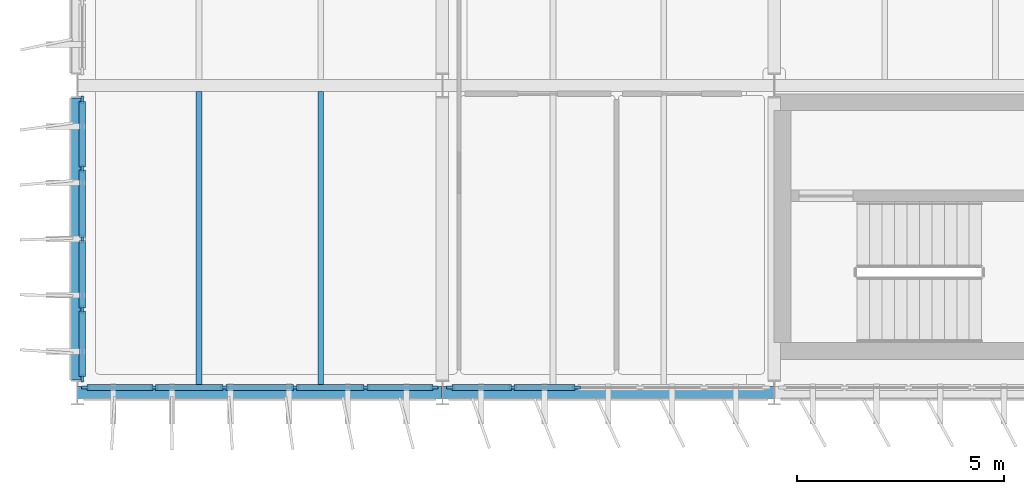
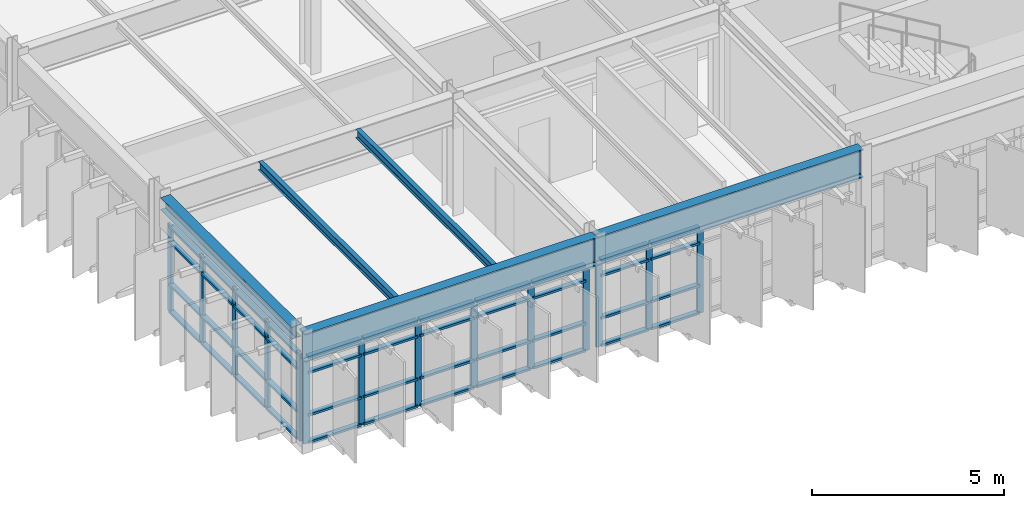
# One storey, part 6 of 45: 58 members, 5 beams, 3 elements without a shape of their own.
"""IFC4 building model written with IfcOpenShell, lengths in metres."""

from ifc_helpers import new_model, si_unit, direction, frame, origin, origin_2d, place, context, subcontext, project, spatial, rectangle, i_section, extrude, material, layer, layer_set, material_profile, profile_set, type_object, element, aggregate, save


model = new_model("IFC4")

# Units and contexts
model_context = context("Model", 3, precision=1e-05, world=origin(), true_north=direction((0.0, 1.0)))
body_context = subcontext(model_context, "Body", "Model", "MODEL_VIEW")
ifc_project = project(units=[si_unit("LENGTHUNIT", "METRE"), si_unit("AREAUNIT", "SQUARE_METRE"), si_unit("VOLUMEUNIT", "CUBIC_METRE"), si_unit("PLANEANGLEUNIT", "RADIAN"), si_unit("MASSUNIT", "GRAM", prefix="KILO")], contexts=[model_context])

# Site, building, storey
site_placement = place(None, origin())
site = spatial("IfcSite", under=ifc_project, at=site_placement, CompositionType="ELEMENT")
building_placement = place(site_placement, origin())
building = spatial("IfcBuilding", under=site, at=building_placement, Name="Valkorina Park Police Headquarters", CompositionType="ELEMENT")
storey_placement = place(building_placement, frame((0.0, 0.0, 23.300048828125)))
storey = spatial("IfcBuildingStorey", under=building, at=storey_placement, Name="L06", CompositionType="ELEMENT", Elevation=23.300048828125)

# Beams
ifc_material_1 = material(Name="Steel S355", Category="steel")
ifc_material_profile_1 = material_profile(ifc_material_1, i_section(OverallWidth=0.300048828125, OverallDepth=0.389892578125, WebThickness=0.010986328125, FlangeThickness=0.01904296875, FilletRadius=0.027099609375, at=origin_2d()), Name="HEA 400")
ifc_profile_set_1 = profile_set([ifc_material_profile_1], Name="Steel S355")
beam_type_1 = type_object("IfcBeamType", Name="BM-S355-HEA400-SPN", PredefinedType="SPANDREL", material=ifc_profile_set_1)
beam_1_placement = place(storey_placement, frame((0.0, 37.300048828125, 3.48486328125), z_axis=(0.0, 1.0, 0.0), x_axis=(-1.0, 0.0, 0.0)))
element("IfcBeam", 1, at=beam_1_placement, inside=storey, type_object=beam_type_1, Name="L06 Framing Beam 2655", PredefinedType="SPANDREL", context=body_context, shape_type="SweptSolid", body=[
    extrude(i_section(OverallWidth=0.300048828125, OverallDepth=0.389892578125, WebThickness=0.010986328125, FlangeThickness=0.01904296875, FilletRadius=0.027099609375, at=origin_2d()), origin(), (0.0, 0.0, 1.0), 6.800048828125),
])
ifc_material_profile_2 = material_profile(ifc_material_1, i_section(OverallWidth=0.300048828125, OverallDepth=0.89990234375, WebThickness=0.0185546875, FlangeThickness=0.034912109375, FilletRadius=0.030029296875, at=origin_2d()), Name="HEB 900")
ifc_profile_set_2 = profile_set([ifc_material_profile_2], Name="Steel S355")
beam_type_2 = type_object("IfcBeamType", Name="BM-S355-HEB900-EXT", PredefinedType="SPANDREL", material=ifc_profile_set_2)
beam_2_placement = place(storey_placement, frame((0.0078125, 37.0, 3.22998046875), z_axis=(1.0, 0.0, 0.0), x_axis=(0.0, 1.0, 0.0)))
element("IfcBeam", 2, at=beam_2_placement, inside=storey, type_object=beam_type_2, Name="L06 Framing Beam 2602", PredefinedType="SPANDREL", context=body_context, shape_type="SweptSolid", body=[
    extrude(i_section(OverallWidth=0.300048828125, OverallDepth=0.89990234375, WebThickness=0.0185546875, FlangeThickness=0.034912109375, FilletRadius=0.030029296875, at=origin_2d()), origin(), (0.0, 0.0, 1.0), 8.784423828125),
])
beam_3_placement = place(storey_placement, frame((8.8076171875, 37.0, 3.22998046875), z_axis=(1.0, 0.0, 0.0), x_axis=(0.0, 1.0, 0.0)))
element("IfcBeam", 3, at=beam_3_placement, inside=storey, type_object=beam_type_2, Name="L06 Framing Beam 2603", PredefinedType="SPANDREL", context=body_context, shape_type="SweptSolid", body=[
    extrude(i_section(OverallWidth=0.300048828125, OverallDepth=0.89990234375, WebThickness=0.0185546875, FlangeThickness=0.034912109375, FilletRadius=0.030029296875, at=origin_2d()), origin(), (0.0, 0.0, 1.0), 7.984619140625),
])
ifc_material_profile_3 = material_profile(ifc_material_1, i_section(OverallWidth=0.135009765625, OverallDepth=0.27001953125, WebThickness=0.006591796875, FlangeThickness=0.01025390625, FilletRadius=0.014892578125, at=origin_2d()), Name="IPE 270")
ifc_profile_set_3 = profile_set([ifc_material_profile_3], Name="Steel S355")
beam_type_3 = type_object("IfcBeamType", Name="BM-S355-IPE270-JST", PredefinedType="JOIST", material=ifc_profile_set_3)
for number, where, z_axis, x_axis, name in (
    (4, (2.933349609375, 37.14990234375, 3.544921875), (0.0, 1.0, 0.0), (-1.0, 0.0, 0.0), "L06 Framing Beam 2656"),
    (5, (5.86669921875, 37.14990234375, 3.544921875), (0.0, 1.0, 0.0), (-1.0, 0.0, 0.0), "L06 Framing Beam 2657"),
):
    element("IfcBeam", number, at=place(storey_placement, frame(where, z_axis=z_axis, x_axis=x_axis)), inside=storey, type_object=beam_type_3, Name=name, PredefinedType="JOIST", context=body_context, shape_type="SweptSolid", body=[
        extrude(i_section(OverallWidth=0.135009765625, OverallDepth=0.27001953125, WebThickness=0.006591796875, FlangeThickness=0.01025390625, FilletRadius=0.014892578125, at=origin_2d()), origin(), (0.0, 0.0, 1.0), 7.10009765625),
    ])

# Curtain wall, members
ifc_material_2 = material(Name="Thermally broken aluminium AW-6060", Category="aluminium")
ifc_layer_1 = layer(ifc_material_2, 0.18994140625)
ifc_layer_set_1 = layer_set([ifc_layer_1], Name="Thermally broken aluminium AW-6060")
curtain_wall_type_1 = type_object("IfcCurtainWallType", Name="CW-V5-6780x2770", PredefinedType="NOTDEFINED", material=ifc_layer_set_1)
curtain_wall_1_placement = place(storey_placement, origin())
curtain_wall_1 = element("IfcCurtainWall", 6, at=curtain_wall_1_placement, inside=storey, type_object=curtain_wall_type_1, Name="L06 Unitised Curtain Wall 097", PredefinedType="NOTDEFINED")
ifc_material_profile_4 = material_profile(ifc_material_2, rectangle(XDim=0.070068359375, YDim=0.18994140625, at=origin_2d()), Name="CWM-02 70x190")
ifc_profile_set_4 = profile_set([ifc_material_profile_4], Name="Thermally broken aluminium AW-6060")
member_type_1 = type_object("IfcMemberType", Name="CWM-70x190", PredefinedType="MULLION", material=ifc_profile_set_4)
member_1_placement = place(storey_placement, frame((0.1201171875, 37.344970703125, 0.0), z_axis=(0.0, 0.0, 1.0), x_axis=(-1.0, 0.0, 0.0)))
member_1 = element("IfcMember", 7, at=member_1_placement, type_object=member_type_1, Name="CW-V5-678-277 mullion 1", PredefinedType="MULLION", context=body_context, shape_type="SweptSolid", body=[
    extrude(rectangle(XDim=0.070068359375, YDim=0.18994140625, at=origin_2d()), origin(), (0.0, 0.0, 1.0), 2.77001953125),
])
member_2_placement = place(storey_placement, frame((0.1201171875, 39.0048828125, 0.0), z_axis=(0.0, 0.0, 1.0), x_axis=(-1.0, 0.0, 0.0)))
member_2 = element("IfcMember", 8, at=member_2_placement, type_object=member_type_1, Name="CW-V5-678-277 mullion 2", PredefinedType="MULLION", context=body_context, shape_type="SweptSolid", body=[
    extrude(rectangle(XDim=0.070068359375, YDim=0.18994140625, at=origin_2d()), origin(), (0.0, 0.0, 1.0), 2.77001953125),
])
member_3_placement = place(storey_placement, frame((0.1201171875, 40.699951171875, 0.0), z_axis=(0.0, 0.0, 1.0), x_axis=(-1.0, 0.0, 0.0)))
member_3 = element("IfcMember", 9, at=member_3_placement, type_object=member_type_1, Name="CW-V5-678-277 mullion 3", PredefinedType="MULLION", context=body_context, shape_type="SweptSolid", body=[
    extrude(rectangle(XDim=0.070068359375, YDim=0.18994140625, at=origin_2d()), origin(), (0.0, 0.0, 1.0), 2.77001953125),
])
member_4_placement = place(storey_placement, frame((0.1201171875, 42.39501953125, 0.0), z_axis=(0.0, 0.0, 1.0), x_axis=(-1.0, 0.0, 0.0)))
member_4 = element("IfcMember", 10, at=member_4_placement, type_object=member_type_1, Name="CW-V5-678-277 mullion 4", PredefinedType="MULLION", context=body_context, shape_type="SweptSolid", body=[
    extrude(rectangle(XDim=0.070068359375, YDim=0.18994140625, at=origin_2d()), origin(), (0.0, 0.0, 1.0), 2.77001953125),
])
member_5_placement = place(storey_placement, frame((0.1201171875, 44.054931640625, 0.0), z_axis=(0.0, 0.0, 1.0), x_axis=(-1.0, 0.0, 0.0)))
member_5 = element("IfcMember", 11, at=member_5_placement, type_object=member_type_1, Name="CW-V5-678-277 mullion 5", PredefinedType="MULLION", context=body_context, shape_type="SweptSolid", body=[
    extrude(rectangle(XDim=0.070068359375, YDim=0.18994140625, at=origin_2d()), origin(), (0.0, 0.0, 1.0), 2.77001953125),
])

ifc_layer_2 = layer(ifc_material_2, 0.18994140625)
ifc_layer_set_2 = layer_set([ifc_layer_2], Name="Thermally broken aluminium AW-6060")
curtain_wall_type_2 = type_object("IfcCurtainWallType", Name="CW-V5-7680x2770", PredefinedType="NOTDEFINED", material=ifc_layer_set_2)
curtain_wall_2_placement = place(storey_placement, origin())
curtain_wall_2 = element("IfcCurtainWall", 12, at=curtain_wall_2_placement, inside=storey, type_object=curtain_wall_type_2, Name="L06 Unitised Curtain Wall 131", PredefinedType="NOTDEFINED")
member_6_placement = place(storey_placement, frame((12.031982421875, 37.1201171875, 0.0), z_axis=(0.0, 0.0, 1.0), x_axis=(0.0, -1.0, 0.0)))
member_6 = element("IfcMember", 13, at=member_6_placement, type_object=member_type_1, Name="CW-V5-768-277 mullion 4", PredefinedType="MULLION", context=body_context, shape_type="SweptSolid", body=[
    extrude(rectangle(XDim=0.070068359375, YDim=0.18994140625, at=origin_2d()), origin(), (0.0, 0.0, 1.0), 2.77001953125),
])
member_7_placement = place(storey_placement, frame((10.49609375, 37.1201171875, 0.0), z_axis=(0.0, 0.0, 1.0), x_axis=(0.0, -1.0, 0.0)))
member_7 = element("IfcMember", 14, at=member_7_placement, type_object=member_type_1, Name="CW-V5-768-277 mullion 5", PredefinedType="MULLION", context=body_context, shape_type="SweptSolid", body=[
    extrude(rectangle(XDim=0.070068359375, YDim=0.18994140625, at=origin_2d()), origin(), (0.0, 0.0, 1.0), 2.77001953125),
])
member_8_placement = place(storey_placement, frame((8.9951171875, 37.1201171875, 0.0), z_axis=(0.0, 0.0, 1.0), x_axis=(0.0, -1.0, 0.0)))
member_8 = element("IfcMember", 15, at=member_8_placement, type_object=member_type_1, Name="CW-V5-768-277 mullion 6", PredefinedType="MULLION", context=body_context, shape_type="SweptSolid", body=[
    extrude(rectangle(XDim=0.070068359375, YDim=0.18994140625, at=origin_2d()), origin(), (0.0, 0.0, 1.0), 2.77001953125),
])

ifc_layer_3 = layer(ifc_material_2, 0.18994140625)
ifc_layer_set_3 = layer_set([ifc_layer_3], Name="Thermally broken aluminium AW-6060")
curtain_wall_type_3 = type_object("IfcCurtainWallType", Name="CW-V5-8480x2770", PredefinedType="NOTDEFINED", material=ifc_layer_set_3)
curtain_wall_3_placement = place(storey_placement, origin())
curtain_wall_3 = element("IfcCurtainWall", 16, at=curtain_wall_3_placement, inside=storey, type_object=curtain_wall_type_3, Name="L06 Unitised Curtain Wall 132", PredefinedType="NOTDEFINED")
member_9_placement = place(storey_placement, frame((8.60498046875, 37.1201171875, 0.0), z_axis=(0.0, 0.0, 1.0), x_axis=(0.0, -1.0, 0.0)))
member_9 = element("IfcMember", 17, at=member_9_placement, type_object=member_type_1, Name="CW-V5-848-277 mullion 1", PredefinedType="MULLION", context=body_context, shape_type="SweptSolid", body=[
    extrude(rectangle(XDim=0.070068359375, YDim=0.18994140625, at=origin_2d()), origin(), (0.0, 0.0, 1.0), 2.77001953125),
])
member_10_placement = place(storey_placement, frame((6.944091796875, 37.1201171875, 0.0), z_axis=(0.0, 0.0, 1.0), x_axis=(0.0, -1.0, 0.0)))
member_10 = element("IfcMember", 18, at=member_10_placement, type_object=member_type_1, Name="CW-V5-848-277 mullion 2", PredefinedType="MULLION", context=body_context, shape_type="SweptSolid", body=[
    extrude(rectangle(XDim=0.070068359375, YDim=0.18994140625, at=origin_2d()), origin(), (0.0, 0.0, 1.0), 2.77001953125),
])
member_11_placement = place(storey_placement, frame((5.248046875, 37.1201171875, 0.0), z_axis=(0.0, 0.0, 1.0), x_axis=(0.0, -1.0, 0.0)))
member_11 = element("IfcMember", 19, at=member_11_placement, type_object=member_type_1, Name="CW-V5-848-277 mullion 3", PredefinedType="MULLION", context=body_context, shape_type="SweptSolid", body=[
    extrude(rectangle(XDim=0.070068359375, YDim=0.18994140625, at=origin_2d()), origin(), (0.0, 0.0, 1.0), 2.77001953125),
])
member_12_placement = place(storey_placement, frame((3.552001953125, 37.1201171875, 0.0), z_axis=(0.0, 0.0, 1.0), x_axis=(0.0, -1.0, 0.0)))
member_12 = element("IfcMember", 20, at=member_12_placement, type_object=member_type_1, Name="CW-V5-848-277 mullion 4", PredefinedType="MULLION", context=body_context, shape_type="SweptSolid", body=[
    extrude(rectangle(XDim=0.070068359375, YDim=0.18994140625, at=origin_2d()), origin(), (0.0, 0.0, 1.0), 2.77001953125),
])
member_13_placement = place(storey_placement, frame((1.85595703125, 37.1201171875, 0.0), z_axis=(0.0, 0.0, 1.0), x_axis=(0.0, -1.0, 0.0)))
member_13 = element("IfcMember", 21, at=member_13_placement, type_object=member_type_1, Name="CW-V5-848-277 mullion 5", PredefinedType="MULLION", context=body_context, shape_type="SweptSolid", body=[
    extrude(rectangle(XDim=0.070068359375, YDim=0.18994140625, at=origin_2d()), origin(), (0.0, 0.0, 1.0), 2.77001953125),
])
member_14_placement = place(storey_placement, frame((0.195068359375, 37.1201171875, 0.0), z_axis=(0.0, 0.0, 1.0), x_axis=(0.0, -1.0, 0.0)))
member_14 = element("IfcMember", 22, at=member_14_placement, type_object=member_type_1, Name="CW-V5-848-277 mullion 6", PredefinedType="MULLION", context=body_context, shape_type="SweptSolid", body=[
    extrude(rectangle(XDim=0.070068359375, YDim=0.18994140625, at=origin_2d()), origin(), (0.0, 0.0, 1.0), 2.77001953125),
])

# Member
ifc_material_profile_5 = material_profile(ifc_material_2, rectangle(XDim=0.14990234375, YDim=0.070068359375, at=origin_2d()), Name="CWT-02 150x70")
ifc_profile_set_5 = profile_set([ifc_material_profile_5], Name="Thermally broken aluminium AW-6060")
member_type_2 = type_object("IfcMemberType", Name="CWT-150x70", PredefinedType="USERDEFINED", material=ifc_profile_set_5)
member_15_placement = place(storey_placement, frame((0.1201171875, 37.3798828125, 0.034912109375), z_axis=(0.0, 1.0, 0.0), x_axis=(-1.0, 0.0, 0.0)))
member_15 = element("IfcMember", 23, at=member_15_placement, type_object=member_type_2, Name="CW-V5-678-277 transom 1.1", ObjectType="TRANSOM", PredefinedType="USERDEFINED", context=body_context, shape_type="SweptSolid", body=[
    extrude(rectangle(XDim=0.14990234375, YDim=0.070068359375, at=origin_2d()), origin(), (0.0, 0.0, 1.0), 1.590087890625),
])

member_16_placement = place(storey_placement, frame((0.1201171875, 37.3798828125, 0.89990234375), z_axis=(0.0, 1.0, 0.0), x_axis=(-1.0, 0.0, 0.0)))
member_16 = element("IfcMember", 24, at=member_16_placement, type_object=member_type_2, Name="CW-V5-678-277 transom 1.2", ObjectType="TRANSOM", PredefinedType="USERDEFINED", context=body_context, shape_type="SweptSolid", body=[
    extrude(rectangle(XDim=0.14990234375, YDim=0.070068359375, at=origin_2d()), origin(), (0.0, 0.0, 1.0), 1.590087890625),
])

member_17_placement = place(storey_placement, frame((0.1201171875, 37.3798828125, 2.25), z_axis=(0.0, 1.0, 0.0), x_axis=(-1.0, 0.0, 0.0)))
member_17 = element("IfcMember", 25, at=member_17_placement, type_object=member_type_2, Name="CW-V5-678-277 transom 1.3", ObjectType="TRANSOM", PredefinedType="USERDEFINED", context=body_context, shape_type="SweptSolid", body=[
    extrude(rectangle(XDim=0.14990234375, YDim=0.070068359375, at=origin_2d()), origin(), (0.0, 0.0, 1.0), 1.590087890625),
])

member_18_placement = place(storey_placement, frame((0.1201171875, 37.3798828125, 2.73486328125), z_axis=(0.0, 1.0, 0.0), x_axis=(-1.0, 0.0, 0.0)))
member_18 = element("IfcMember", 26, at=member_18_placement, type_object=member_type_2, Name="CW-V5-678-277 transom 1.4", ObjectType="TRANSOM", PredefinedType="USERDEFINED", context=body_context, shape_type="SweptSolid", body=[
    extrude(rectangle(XDim=0.14990234375, YDim=0.070068359375, at=origin_2d()), origin(), (0.0, 0.0, 1.0), 1.590087890625),
])

member_19_placement = place(storey_placement, frame((0.1201171875, 39.0400390625, 0.034912109375), z_axis=(0.0, 1.0, 0.0), x_axis=(-1.0, 0.0, 0.0)))
member_19 = element("IfcMember", 27, at=member_19_placement, type_object=member_type_2, Name="CW-V5-678-277 transom 2.1", ObjectType="TRANSOM", PredefinedType="USERDEFINED", context=body_context, shape_type="SweptSolid", body=[
    extrude(rectangle(XDim=0.14990234375, YDim=0.070068359375, at=origin_2d()), origin(), (0.0, 0.0, 1.0), 1.625),
])

member_20_placement = place(storey_placement, frame((0.1201171875, 39.0400390625, 0.89990234375), z_axis=(0.0, 1.0, 0.0), x_axis=(-1.0, 0.0, 0.0)))
member_20 = element("IfcMember", 28, at=member_20_placement, type_object=member_type_2, Name="CW-V5-678-277 transom 2.2", ObjectType="TRANSOM", PredefinedType="USERDEFINED", context=body_context, shape_type="SweptSolid", body=[
    extrude(rectangle(XDim=0.14990234375, YDim=0.070068359375, at=origin_2d()), origin(), (0.0, 0.0, 1.0), 1.625),
])

member_21_placement = place(storey_placement, frame((0.1201171875, 39.0400390625, 2.25), z_axis=(0.0, 1.0, 0.0), x_axis=(-1.0, 0.0, 0.0)))
member_21 = element("IfcMember", 29, at=member_21_placement, type_object=member_type_2, Name="CW-V5-678-277 transom 2.3", ObjectType="TRANSOM", PredefinedType="USERDEFINED", context=body_context, shape_type="SweptSolid", body=[
    extrude(rectangle(XDim=0.14990234375, YDim=0.070068359375, at=origin_2d()), origin(), (0.0, 0.0, 1.0), 1.625),
])

member_22_placement = place(storey_placement, frame((0.1201171875, 39.0400390625, 2.73486328125), z_axis=(0.0, 1.0, 0.0), x_axis=(-1.0, 0.0, 0.0)))
member_22 = element("IfcMember", 30, at=member_22_placement, type_object=member_type_2, Name="CW-V5-678-277 transom 2.4", ObjectType="TRANSOM", PredefinedType="USERDEFINED", context=body_context, shape_type="SweptSolid", body=[
    extrude(rectangle(XDim=0.14990234375, YDim=0.070068359375, at=origin_2d()), origin(), (0.0, 0.0, 1.0), 1.625),
])

member_23_placement = place(storey_placement, frame((0.1201171875, 40.735107421875, 0.034912109375), z_axis=(0.0, 1.0, 0.0), x_axis=(-1.0, 0.0, 0.0)))
member_23 = element("IfcMember", 31, at=member_23_placement, type_object=member_type_2, Name="CW-V5-678-277 transom 3.1", ObjectType="TRANSOM", PredefinedType="USERDEFINED", context=body_context, shape_type="SweptSolid", body=[
    extrude(rectangle(XDim=0.14990234375, YDim=0.070068359375, at=origin_2d()), origin(), (0.0, 0.0, 1.0), 1.625),
])

member_24_placement = place(storey_placement, frame((0.1201171875, 40.735107421875, 0.89990234375), z_axis=(0.0, 1.0, 0.0), x_axis=(-1.0, 0.0, 0.0)))
member_24 = element("IfcMember", 32, at=member_24_placement, type_object=member_type_2, Name="CW-V5-678-277 transom 3.2", ObjectType="TRANSOM", PredefinedType="USERDEFINED", context=body_context, shape_type="SweptSolid", body=[
    extrude(rectangle(XDim=0.14990234375, YDim=0.070068359375, at=origin_2d()), origin(), (0.0, 0.0, 1.0), 1.625),
])

member_25_placement = place(storey_placement, frame((0.1201171875, 40.735107421875, 2.25), z_axis=(0.0, 1.0, 0.0), x_axis=(-1.0, 0.0, 0.0)))
member_25 = element("IfcMember", 33, at=member_25_placement, type_object=member_type_2, Name="CW-V5-678-277 transom 3.3", ObjectType="TRANSOM", PredefinedType="USERDEFINED", context=body_context, shape_type="SweptSolid", body=[
    extrude(rectangle(XDim=0.14990234375, YDim=0.070068359375, at=origin_2d()), origin(), (0.0, 0.0, 1.0), 1.625),
])

member_26_placement = place(storey_placement, frame((0.1201171875, 40.735107421875, 2.73486328125), z_axis=(0.0, 1.0, 0.0), x_axis=(-1.0, 0.0, 0.0)))
member_26 = element("IfcMember", 34, at=member_26_placement, type_object=member_type_2, Name="CW-V5-678-277 transom 3.4", ObjectType="TRANSOM", PredefinedType="USERDEFINED", context=body_context, shape_type="SweptSolid", body=[
    extrude(rectangle(XDim=0.14990234375, YDim=0.070068359375, at=origin_2d()), origin(), (0.0, 0.0, 1.0), 1.625),
])

member_27_placement = place(storey_placement, frame((0.1201171875, 42.429931640625, 0.034912109375), z_axis=(0.0, 1.0, 0.0), x_axis=(-1.0, 0.0, 0.0)))
member_27 = element("IfcMember", 35, at=member_27_placement, type_object=member_type_2, Name="CW-V5-678-277 transom 4.1", ObjectType="TRANSOM", PredefinedType="USERDEFINED", context=body_context, shape_type="SweptSolid", body=[
    extrude(rectangle(XDim=0.14990234375, YDim=0.070068359375, at=origin_2d()), origin(), (0.0, 0.0, 1.0), 1.590087890625),
])

member_28_placement = place(storey_placement, frame((0.1201171875, 42.429931640625, 0.89990234375), z_axis=(0.0, 1.0, 0.0), x_axis=(-1.0, 0.0, 0.0)))
member_28 = element("IfcMember", 36, at=member_28_placement, type_object=member_type_2, Name="CW-V5-678-277 transom 4.2", ObjectType="TRANSOM", PredefinedType="USERDEFINED", context=body_context, shape_type="SweptSolid", body=[
    extrude(rectangle(XDim=0.14990234375, YDim=0.070068359375, at=origin_2d()), origin(), (0.0, 0.0, 1.0), 1.590087890625),
])

member_29_placement = place(storey_placement, frame((0.1201171875, 42.429931640625, 2.25), z_axis=(0.0, 1.0, 0.0), x_axis=(-1.0, 0.0, 0.0)))
member_29 = element("IfcMember", 37, at=member_29_placement, type_object=member_type_2, Name="CW-V5-678-277 transom 4.3", ObjectType="TRANSOM", PredefinedType="USERDEFINED", context=body_context, shape_type="SweptSolid", body=[
    extrude(rectangle(XDim=0.14990234375, YDim=0.070068359375, at=origin_2d()), origin(), (0.0, 0.0, 1.0), 1.590087890625),
])

member_30_placement = place(storey_placement, frame((0.1201171875, 42.429931640625, 2.73486328125), z_axis=(0.0, 1.0, 0.0), x_axis=(-1.0, 0.0, 0.0)))
member_30 = element("IfcMember", 38, at=member_30_placement, type_object=member_type_2, Name="CW-V5-678-277 transom 4.4", ObjectType="TRANSOM", PredefinedType="USERDEFINED", context=body_context, shape_type="SweptSolid", body=[
    extrude(rectangle(XDim=0.14990234375, YDim=0.070068359375, at=origin_2d()), origin(), (0.0, 0.0, 1.0), 1.590087890625),
])

aggregate(curtain_wall_1, [member_1, member_2, member_3, member_4, member_5, member_15, member_16, member_17, member_18, member_19, member_20, member_21, member_22, member_23, member_24, member_25, member_26, member_27, member_28, member_29, member_30])

member_31_placement = place(storey_placement, frame((11.9970703125, 37.1201171875, 0.034912109375), z_axis=(-1.0, 0.0, 0.0), x_axis=(0.0, -1.0, 0.0)))
member_31 = element("IfcMember", 39, at=member_31_placement, type_object=member_type_2, Name="CW-V5-768-277 transom 4.1", ObjectType="TRANSOM", PredefinedType="USERDEFINED", context=body_context, shape_type="SweptSolid", body=[
    extrude(rectangle(XDim=0.14990234375, YDim=0.070068359375, at=origin_2d()), origin(), (0.0, 0.0, 1.0), 1.466064453125),
])

member_32_placement = place(storey_placement, frame((11.9970703125, 37.1201171875, 0.89990234375), z_axis=(-1.0, 0.0, 0.0), x_axis=(0.0, -1.0, 0.0)))
member_32 = element("IfcMember", 40, at=member_32_placement, type_object=member_type_2, Name="CW-V5-768-277 transom 4.2", ObjectType="TRANSOM", PredefinedType="USERDEFINED", context=body_context, shape_type="SweptSolid", body=[
    extrude(rectangle(XDim=0.14990234375, YDim=0.070068359375, at=origin_2d()), origin(), (0.0, 0.0, 1.0), 1.466064453125),
])

member_33_placement = place(storey_placement, frame((11.9970703125, 37.1201171875, 2.25), z_axis=(-1.0, 0.0, 0.0), x_axis=(0.0, -1.0, 0.0)))
member_33 = element("IfcMember", 41, at=member_33_placement, type_object=member_type_2, Name="CW-V5-768-277 transom 4.3", ObjectType="TRANSOM", PredefinedType="USERDEFINED", context=body_context, shape_type="SweptSolid", body=[
    extrude(rectangle(XDim=0.14990234375, YDim=0.070068359375, at=origin_2d()), origin(), (0.0, 0.0, 1.0), 1.466064453125),
])

member_34_placement = place(storey_placement, frame((11.9970703125, 37.1201171875, 2.73486328125), z_axis=(-1.0, 0.0, 0.0), x_axis=(0.0, -1.0, 0.0)))
member_34 = element("IfcMember", 42, at=member_34_placement, type_object=member_type_2, Name="CW-V5-768-277 transom 4.4", ObjectType="TRANSOM", PredefinedType="USERDEFINED", context=body_context, shape_type="SweptSolid", body=[
    extrude(rectangle(XDim=0.14990234375, YDim=0.070068359375, at=origin_2d()), origin(), (0.0, 0.0, 1.0), 1.466064453125),
])

member_35_placement = place(storey_placement, frame((10.4609375, 37.1201171875, 0.034912109375), z_axis=(-1.0, 0.0, 0.0), x_axis=(0.0, -1.0, 0.0)))
member_35 = element("IfcMember", 43, at=member_35_placement, type_object=member_type_2, Name="CW-V5-768-277 transom 5.1", ObjectType="TRANSOM", PredefinedType="USERDEFINED", context=body_context, shape_type="SweptSolid", body=[
    extrude(rectangle(XDim=0.14990234375, YDim=0.070068359375, at=origin_2d()), origin(), (0.0, 0.0, 1.0), 1.430908203125),
])

member_36_placement = place(storey_placement, frame((10.4609375, 37.1201171875, 0.89990234375), z_axis=(-1.0, 0.0, 0.0), x_axis=(0.0, -1.0, 0.0)))
member_36 = element("IfcMember", 44, at=member_36_placement, type_object=member_type_2, Name="CW-V5-768-277 transom 5.2", ObjectType="TRANSOM", PredefinedType="USERDEFINED", context=body_context, shape_type="SweptSolid", body=[
    extrude(rectangle(XDim=0.14990234375, YDim=0.070068359375, at=origin_2d()), origin(), (0.0, 0.0, 1.0), 1.430908203125),
])

member_37_placement = place(storey_placement, frame((10.4609375, 37.1201171875, 2.25), z_axis=(-1.0, 0.0, 0.0), x_axis=(0.0, -1.0, 0.0)))
member_37 = element("IfcMember", 45, at=member_37_placement, type_object=member_type_2, Name="CW-V5-768-277 transom 5.3", ObjectType="TRANSOM", PredefinedType="USERDEFINED", context=body_context, shape_type="SweptSolid", body=[
    extrude(rectangle(XDim=0.14990234375, YDim=0.070068359375, at=origin_2d()), origin(), (0.0, 0.0, 1.0), 1.430908203125),
])

member_38_placement = place(storey_placement, frame((10.4609375, 37.1201171875, 2.73486328125), z_axis=(-1.0, 0.0, 0.0), x_axis=(0.0, -1.0, 0.0)))
member_38 = element("IfcMember", 46, at=member_38_placement, type_object=member_type_2, Name="CW-V5-768-277 transom 5.4", ObjectType="TRANSOM", PredefinedType="USERDEFINED", context=body_context, shape_type="SweptSolid", body=[
    extrude(rectangle(XDim=0.14990234375, YDim=0.070068359375, at=origin_2d()), origin(), (0.0, 0.0, 1.0), 1.430908203125),
])

aggregate(curtain_wall_2, [member_6, member_7, member_8, member_31, member_32, member_33, member_34, member_35, member_36, member_37, member_38])

member_39_placement = place(storey_placement, frame((8.570068359375, 37.1201171875, 0.034912109375), z_axis=(-1.0, 0.0, 0.0), x_axis=(0.0, -1.0, 0.0)))
member_39 = element("IfcMember", 47, at=member_39_placement, type_object=member_type_2, Name="CW-V5-848-277 transom 1.1", ObjectType="TRANSOM", PredefinedType="USERDEFINED", context=body_context, shape_type="SweptSolid", body=[
    extrude(rectangle(XDim=0.14990234375, YDim=0.070068359375, at=origin_2d()), origin(), (0.0, 0.0, 1.0), 1.591064453125),
])

member_40_placement = place(storey_placement, frame((8.570068359375, 37.1201171875, 0.89990234375), z_axis=(-1.0, 0.0, 0.0), x_axis=(0.0, -1.0, 0.0)))
member_40 = element("IfcMember", 48, at=member_40_placement, type_object=member_type_2, Name="CW-V5-848-277 transom 1.2", ObjectType="TRANSOM", PredefinedType="USERDEFINED", context=body_context, shape_type="SweptSolid", body=[
    extrude(rectangle(XDim=0.14990234375, YDim=0.070068359375, at=origin_2d()), origin(), (0.0, 0.0, 1.0), 1.591064453125),
])

member_41_placement = place(storey_placement, frame((8.570068359375, 37.1201171875, 2.25), z_axis=(-1.0, 0.0, 0.0), x_axis=(0.0, -1.0, 0.0)))
member_41 = element("IfcMember", 49, at=member_41_placement, type_object=member_type_2, Name="CW-V5-848-277 transom 1.3", ObjectType="TRANSOM", PredefinedType="USERDEFINED", context=body_context, shape_type="SweptSolid", body=[
    extrude(rectangle(XDim=0.14990234375, YDim=0.070068359375, at=origin_2d()), origin(), (0.0, 0.0, 1.0), 1.591064453125),
])

member_42_placement = place(storey_placement, frame((8.570068359375, 37.1201171875, 2.73486328125), z_axis=(-1.0, 0.0, 0.0), x_axis=(0.0, -1.0, 0.0)))
member_42 = element("IfcMember", 50, at=member_42_placement, type_object=member_type_2, Name="CW-V5-848-277 transom 1.4", ObjectType="TRANSOM", PredefinedType="USERDEFINED", context=body_context, shape_type="SweptSolid", body=[
    extrude(rectangle(XDim=0.14990234375, YDim=0.070068359375, at=origin_2d()), origin(), (0.0, 0.0, 1.0), 1.591064453125),
])

member_43_placement = place(storey_placement, frame((6.908935546875, 37.1201171875, 0.034912109375), z_axis=(-1.0, 0.0, 0.0), x_axis=(0.0, -1.0, 0.0)))
member_43 = element("IfcMember", 51, at=member_43_placement, type_object=member_type_2, Name="CW-V5-848-277 transom 2.1", ObjectType="TRANSOM", PredefinedType="USERDEFINED", context=body_context, shape_type="SweptSolid", body=[
    extrude(rectangle(XDim=0.14990234375, YDim=0.070068359375, at=origin_2d()), origin(), (0.0, 0.0, 1.0), 1.6259765625),
])

member_44_placement = place(storey_placement, frame((6.908935546875, 37.1201171875, 0.89990234375), z_axis=(-1.0, 0.0, 0.0), x_axis=(0.0, -1.0, 0.0)))
member_44 = element("IfcMember", 52, at=member_44_placement, type_object=member_type_2, Name="CW-V5-848-277 transom 2.2", ObjectType="TRANSOM", PredefinedType="USERDEFINED", context=body_context, shape_type="SweptSolid", body=[
    extrude(rectangle(XDim=0.14990234375, YDim=0.070068359375, at=origin_2d()), origin(), (0.0, 0.0, 1.0), 1.6259765625),
])

member_45_placement = place(storey_placement, frame((6.908935546875, 37.1201171875, 2.25), z_axis=(-1.0, 0.0, 0.0), x_axis=(0.0, -1.0, 0.0)))
member_45 = element("IfcMember", 53, at=member_45_placement, type_object=member_type_2, Name="CW-V5-848-277 transom 2.3", ObjectType="TRANSOM", PredefinedType="USERDEFINED", context=body_context, shape_type="SweptSolid", body=[
    extrude(rectangle(XDim=0.14990234375, YDim=0.070068359375, at=origin_2d()), origin(), (0.0, 0.0, 1.0), 1.6259765625),
])

member_46_placement = place(storey_placement, frame((6.908935546875, 37.1201171875, 2.73486328125), z_axis=(-1.0, 0.0, 0.0), x_axis=(0.0, -1.0, 0.0)))
member_46 = element("IfcMember", 54, at=member_46_placement, type_object=member_type_2, Name="CW-V5-848-277 transom 2.4", ObjectType="TRANSOM", PredefinedType="USERDEFINED", context=body_context, shape_type="SweptSolid", body=[
    extrude(rectangle(XDim=0.14990234375, YDim=0.070068359375, at=origin_2d()), origin(), (0.0, 0.0, 1.0), 1.6259765625),
])

member_47_placement = place(storey_placement, frame((5.212890625, 37.1201171875, 0.034912109375), z_axis=(-1.0, 0.0, 0.0), x_axis=(0.0, -1.0, 0.0)))
member_47 = element("IfcMember", 55, at=member_47_placement, type_object=member_type_2, Name="CW-V5-848-277 transom 3.1", ObjectType="TRANSOM", PredefinedType="USERDEFINED", context=body_context, shape_type="SweptSolid", body=[
    extrude(rectangle(XDim=0.14990234375, YDim=0.070068359375, at=origin_2d()), origin(), (0.0, 0.0, 1.0), 1.6259765625),
])

member_48_placement = place(storey_placement, frame((5.212890625, 37.1201171875, 0.89990234375), z_axis=(-1.0, 0.0, 0.0), x_axis=(0.0, -1.0, 0.0)))
member_48 = element("IfcMember", 56, at=member_48_placement, type_object=member_type_2, Name="CW-V5-848-277 transom 3.2", ObjectType="TRANSOM", PredefinedType="USERDEFINED", context=body_context, shape_type="SweptSolid", body=[
    extrude(rectangle(XDim=0.14990234375, YDim=0.070068359375, at=origin_2d()), origin(), (0.0, 0.0, 1.0), 1.6259765625),
])

member_49_placement = place(storey_placement, frame((5.212890625, 37.1201171875, 2.25), z_axis=(-1.0, 0.0, 0.0), x_axis=(0.0, -1.0, 0.0)))
member_49 = element("IfcMember", 57, at=member_49_placement, type_object=member_type_2, Name="CW-V5-848-277 transom 3.3", ObjectType="TRANSOM", PredefinedType="USERDEFINED", context=body_context, shape_type="SweptSolid", body=[
    extrude(rectangle(XDim=0.14990234375, YDim=0.070068359375, at=origin_2d()), origin(), (0.0, 0.0, 1.0), 1.6259765625),
])

member_50_placement = place(storey_placement, frame((5.212890625, 37.1201171875, 2.73486328125), z_axis=(-1.0, 0.0, 0.0), x_axis=(0.0, -1.0, 0.0)))
member_50 = element("IfcMember", 58, at=member_50_placement, type_object=member_type_2, Name="CW-V5-848-277 transom 3.4", ObjectType="TRANSOM", PredefinedType="USERDEFINED", context=body_context, shape_type="SweptSolid", body=[
    extrude(rectangle(XDim=0.14990234375, YDim=0.070068359375, at=origin_2d()), origin(), (0.0, 0.0, 1.0), 1.6259765625),
])

member_51_placement = place(storey_placement, frame((3.51708984375, 37.1201171875, 0.034912109375), z_axis=(-1.0, 0.0, 0.0), x_axis=(0.0, -1.0, 0.0)))
member_51 = element("IfcMember", 59, at=member_51_placement, type_object=member_type_2, Name="CW-V5-848-277 transom 4.1", ObjectType="TRANSOM", PredefinedType="USERDEFINED", context=body_context, shape_type="SweptSolid", body=[
    extrude(rectangle(XDim=0.14990234375, YDim=0.070068359375, at=origin_2d()), origin(), (0.0, 0.0, 1.0), 1.6259765625),
])

member_52_placement = place(storey_placement, frame((3.51708984375, 37.1201171875, 0.89990234375), z_axis=(-1.0, 0.0, 0.0), x_axis=(0.0, -1.0, 0.0)))
member_52 = element("IfcMember", 60, at=member_52_placement, type_object=member_type_2, Name="CW-V5-848-277 transom 4.2", ObjectType="TRANSOM", PredefinedType="USERDEFINED", context=body_context, shape_type="SweptSolid", body=[
    extrude(rectangle(XDim=0.14990234375, YDim=0.070068359375, at=origin_2d()), origin(), (0.0, 0.0, 1.0), 1.6259765625),
])

member_53_placement = place(storey_placement, frame((3.51708984375, 37.1201171875, 2.25), z_axis=(-1.0, 0.0, 0.0), x_axis=(0.0, -1.0, 0.0)))
member_53 = element("IfcMember", 61, at=member_53_placement, type_object=member_type_2, Name="CW-V5-848-277 transom 4.3", ObjectType="TRANSOM", PredefinedType="USERDEFINED", context=body_context, shape_type="SweptSolid", body=[
    extrude(rectangle(XDim=0.14990234375, YDim=0.070068359375, at=origin_2d()), origin(), (0.0, 0.0, 1.0), 1.6259765625),
])

member_54_placement = place(storey_placement, frame((3.51708984375, 37.1201171875, 2.73486328125), z_axis=(-1.0, 0.0, 0.0), x_axis=(0.0, -1.0, 0.0)))
member_54 = element("IfcMember", 62, at=member_54_placement, type_object=member_type_2, Name="CW-V5-848-277 transom 4.4", ObjectType="TRANSOM", PredefinedType="USERDEFINED", context=body_context, shape_type="SweptSolid", body=[
    extrude(rectangle(XDim=0.14990234375, YDim=0.070068359375, at=origin_2d()), origin(), (0.0, 0.0, 1.0), 1.6259765625),
])

member_55_placement = place(storey_placement, frame((1.821044921875, 37.1201171875, 0.034912109375), z_axis=(-1.0, 0.0, 0.0), x_axis=(0.0, -1.0, 0.0)))
member_55 = element("IfcMember", 63, at=member_55_placement, type_object=member_type_2, Name="CW-V5-848-277 transom 5.1", ObjectType="TRANSOM", PredefinedType="USERDEFINED", context=body_context, shape_type="SweptSolid", body=[
    extrude(rectangle(XDim=0.14990234375, YDim=0.070068359375, at=origin_2d()), origin(), (0.0, 0.0, 1.0), 1.591064453125),
])

member_56_placement = place(storey_placement, frame((1.821044921875, 37.1201171875, 0.89990234375), z_axis=(-1.0, 0.0, 0.0), x_axis=(0.0, -1.0, 0.0)))
member_56 = element("IfcMember", 64, at=member_56_placement, type_object=member_type_2, Name="CW-V5-848-277 transom 5.2", ObjectType="TRANSOM", PredefinedType="USERDEFINED", context=body_context, shape_type="SweptSolid", body=[
    extrude(rectangle(XDim=0.14990234375, YDim=0.070068359375, at=origin_2d()), origin(), (0.0, 0.0, 1.0), 1.591064453125),
])

member_57_placement = place(storey_placement, frame((1.821044921875, 37.1201171875, 2.25), z_axis=(-1.0, 0.0, 0.0), x_axis=(0.0, -1.0, 0.0)))
member_57 = element("IfcMember", 65, at=member_57_placement, type_object=member_type_2, Name="CW-V5-848-277 transom 5.3", ObjectType="TRANSOM", PredefinedType="USERDEFINED", context=body_context, shape_type="SweptSolid", body=[
    extrude(rectangle(XDim=0.14990234375, YDim=0.070068359375, at=origin_2d()), origin(), (0.0, 0.0, 1.0), 1.591064453125),
])

member_58_placement = place(storey_placement, frame((1.821044921875, 37.1201171875, 2.73486328125), z_axis=(-1.0, 0.0, 0.0), x_axis=(0.0, -1.0, 0.0)))
member_58 = element("IfcMember", 66, at=member_58_placement, type_object=member_type_2, Name="CW-V5-848-277 transom 5.4", ObjectType="TRANSOM", PredefinedType="USERDEFINED", context=body_context, shape_type="SweptSolid", body=[
    extrude(rectangle(XDim=0.14990234375, YDim=0.070068359375, at=origin_2d()), origin(), (0.0, 0.0, 1.0), 1.591064453125),
])

aggregate(curtain_wall_3, [member_9, member_10, member_11, member_12, member_13, member_14, member_39, member_40, member_41, member_42, member_43, member_44, member_45, member_46, member_47, member_48, member_49, member_50, member_51, member_52, member_53, member_54, member_55, member_56, member_57, member_58])

save(model, "model.ifc")
